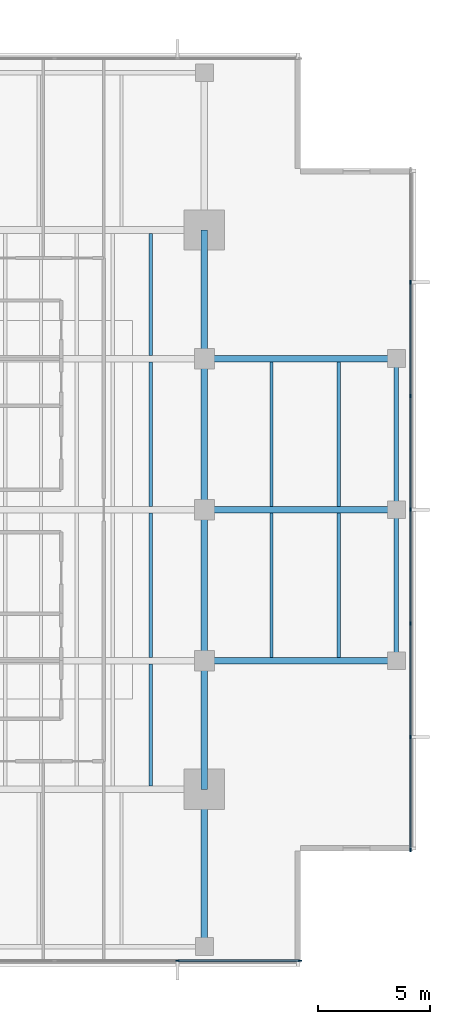
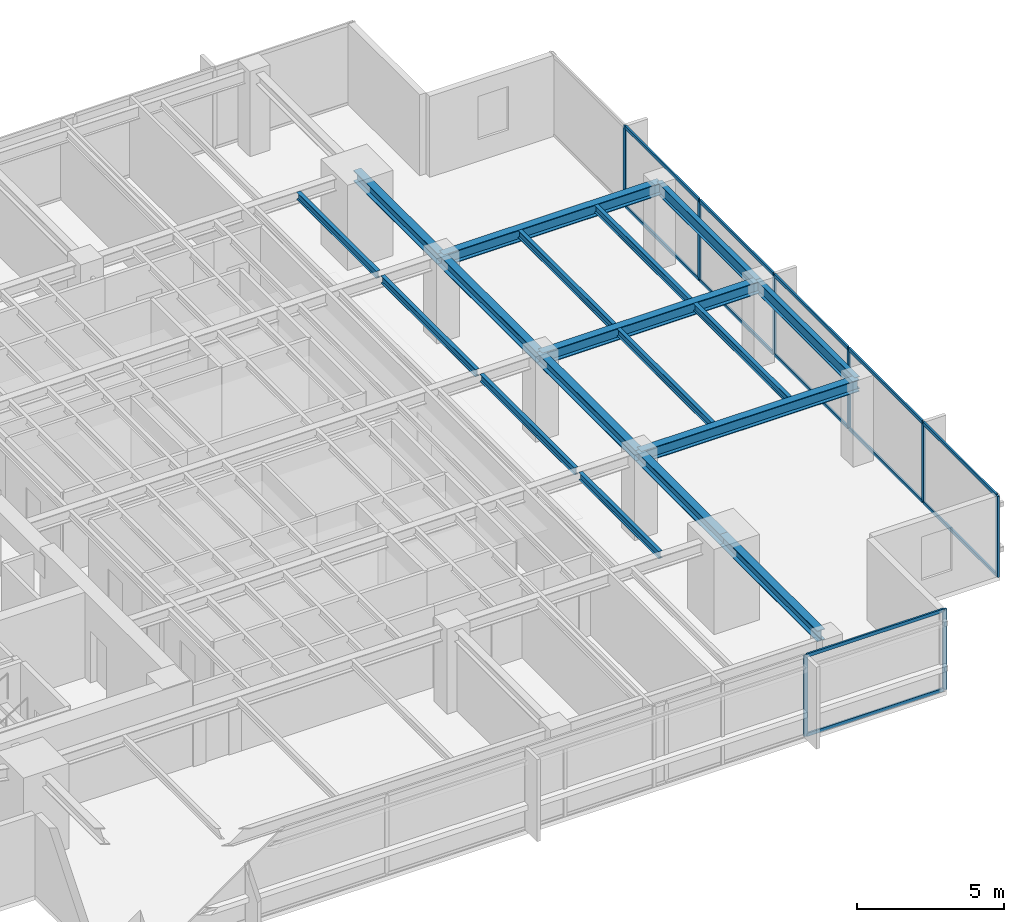
# One storey, part 4 of 14: 20 members, 18 beams, 2 elements without a shape of their own.
"""IFC4 building model written with IfcOpenShell, lengths in metres."""

from ifc_helpers import new_model, si_unit, direction, frame, origin, origin_2d, place, context, subcontext, project, spatial, rectangle, i_section, extrude, material, layer, layer_set, material_profile, profile_set, type_object, element, aggregate, save


model = new_model("IFC4")

# Units and contexts
model_context = context("Model", 3, precision=1e-05, world=origin(), true_north=direction((0.0, 1.0)))
body_context = subcontext(model_context, "Body", "Model", "MODEL_VIEW")
ifc_project = project(units=[si_unit("LENGTHUNIT", "METRE"), si_unit("AREAUNIT", "SQUARE_METRE"), si_unit("VOLUMEUNIT", "CUBIC_METRE"), si_unit("PLANEANGLEUNIT", "RADIAN"), si_unit("MASSUNIT", "GRAM", prefix="KILO")], contexts=[model_context])

# Site, building, storey
site_placement = place(None, origin())
site = spatial("IfcSite", under=ifc_project, at=site_placement, CompositionType="ELEMENT")
building_placement = place(site_placement, origin())
building = spatial("IfcBuilding", under=site, at=building_placement, Name="Kinhvarn Gate Tower", CompositionType="ELEMENT")
storey_placement = place(building_placement, frame((0.0, 0.0, 212.89990234375)))
storey = spatial("IfcBuildingStorey", under=building, at=storey_placement, Name="L56", CompositionType="ELEMENT", Elevation=212.89990234375)

# Curtain wall, members
ifc_material_1 = material(Name="Anodised aluminium AW-6063", Category="aluminium")
ifc_layer = layer(ifc_material_1, 0.179931640625)
ifc_layer_set = layer_set([ifc_layer], Name="Anodised aluminium AW-6063")
curtain_wall_type = type_object("IfcCurtainWallType", Name="CW-SYS-3", PredefinedType="NOTDEFINED", material=ifc_layer_set)
curtain_wall_1_placement = place(storey_placement, origin())
curtain_wall_1 = element("IfcCurtainWall", 1, at=curtain_wall_1_placement, inside=storey, type_object=curtain_wall_type, Name="Curtain Wall CW3 (L56)", PredefinedType="NOTDEFINED")
ifc_material_profile_1 = material_profile(ifc_material_1, rectangle(XDim=0.06494140625, YDim=0.159912109375, at=origin_2d()), Name="ALU 65x160")
ifc_profile_set_1 = profile_set([ifc_material_profile_1], Name="Anodised aluminium AW-6063")
member_type_1 = type_object("IfcMemberType", Name="CW-MUL-160", PredefinedType="MULLION", material=ifc_profile_set_1)
member_1_placement = place(storey_placement, frame((37.0, 5.090087890625, 0.0), z_axis=(0.0, 0.0, 1.0), x_axis=(0.0, 1.0, 0.0)))
member_1 = element("IfcMember", 2, at=member_1_placement, type_object=member_type_1, Name="CW3 mullion 6", PredefinedType="MULLION", context=body_context, shape_type="SweptSolid", body=[
    extrude(rectangle(XDim=0.06494140625, YDim=0.159912109375, at=origin_2d()), origin(), (0.0, 0.0, 1.0), 3.3701171875),
])
member_2_placement = place(storey_placement, frame((42.467529296875, 5.090087890625, 0.0), z_axis=(0.0, 0.0, 1.0), x_axis=(0.0, 1.0, 0.0)))
member_2 = element("IfcMember", 3, at=member_2_placement, type_object=member_type_1, Name="CW3 mullion 7", PredefinedType="MULLION", context=body_context, shape_type="SweptSolid", body=[
    extrude(rectangle(XDim=0.06494140625, YDim=0.159912109375, at=origin_2d()), origin(), (0.0, 0.0, 1.0), 3.3701171875),
])

curtain_wall_2_placement = place(storey_placement, origin())
curtain_wall_2 = element("IfcCurtainWall", 4, at=curtain_wall_2_placement, inside=storey, type_object=curtain_wall_type, Name="Curtain Wall CW3 (L56)", PredefinedType="NOTDEFINED")
member_3_placement = place(storey_placement, frame((47.409912109375, 10.032470703125, 0.0), z_axis=(0.0, 0.0, 1.0), x_axis=(-1.0, 0.0, 0.0)))
member_3 = element("IfcMember", 5, at=member_3_placement, type_object=member_type_1, Name="CW3 mullion 1", PredefinedType="MULLION", context=body_context, shape_type="SweptSolid", body=[
    extrude(rectangle(XDim=0.06494140625, YDim=0.159912109375, at=origin_2d()), origin(), (0.0, 0.0, 1.0), 3.3701171875),
])
member_4_placement = place(storey_placement, frame((47.409912109375, 15.083251953125, 0.0), z_axis=(0.0, 0.0, 1.0), x_axis=(-1.0, 0.0, 0.0)))
member_4 = element("IfcMember", 6, at=member_4_placement, type_object=member_type_1, Name="CW3 mullion 2", PredefinedType="MULLION", context=body_context, shape_type="SweptSolid", body=[
    extrude(rectangle(XDim=0.06494140625, YDim=0.159912109375, at=origin_2d()), origin(), (0.0, 0.0, 1.0), 3.3701171875),
])
member_5_placement = place(storey_placement, frame((47.409912109375, 20.166748046875, 0.0), z_axis=(0.0, 0.0, 1.0), x_axis=(-1.0, 0.0, 0.0)))
member_5 = element("IfcMember", 7, at=member_5_placement, type_object=member_type_1, Name="CW3 mullion 3", PredefinedType="MULLION", context=body_context, shape_type="SweptSolid", body=[
    extrude(rectangle(XDim=0.06494140625, YDim=0.159912109375, at=origin_2d()), origin(), (0.0, 0.0, 1.0), 3.3701171875),
])
member_6_placement = place(storey_placement, frame((47.409912109375, 25.25, 0.0), z_axis=(0.0, 0.0, 1.0), x_axis=(-1.0, 0.0, 0.0)))
member_6 = element("IfcMember", 8, at=member_6_placement, type_object=member_type_1, Name="CW3 mullion 4", PredefinedType="MULLION", context=body_context, shape_type="SweptSolid", body=[
    extrude(rectangle(XDim=0.06494140625, YDim=0.159912109375, at=origin_2d()), origin(), (0.0, 0.0, 1.0), 3.3701171875),
])
member_7_placement = place(storey_placement, frame((47.409912109375, 30.333251953125, 0.0), z_axis=(0.0, 0.0, 1.0), x_axis=(-1.0, 0.0, 0.0)))
member_7 = element("IfcMember", 9, at=member_7_placement, type_object=member_type_1, Name="CW3 mullion 5", PredefinedType="MULLION", context=body_context, shape_type="SweptSolid", body=[
    extrude(rectangle(XDim=0.06494140625, YDim=0.159912109375, at=origin_2d()), origin(), (0.0, 0.0, 1.0), 3.3701171875),
])
member_8_placement = place(storey_placement, frame((47.409912109375, 35.416748046875, 0.0), z_axis=(0.0, 0.0, 1.0), x_axis=(-1.0, 0.0, 0.0)))
member_8 = element("IfcMember", 10, at=member_8_placement, type_object=member_type_1, Name="CW3 mullion 6", PredefinedType="MULLION", context=body_context, shape_type="SweptSolid", body=[
    extrude(rectangle(XDim=0.06494140625, YDim=0.159912109375, at=origin_2d()), origin(), (0.0, 0.0, 1.0), 3.3701171875),
])

# Member
ifc_material_profile_2 = material_profile(ifc_material_1, rectangle(XDim=0.070068359375, YDim=0.139892578125, at=origin_2d()), Name="ALU 70x140")
ifc_profile_set_2 = profile_set([ifc_material_profile_2], Name="Anodised aluminium AW-6063")
member_type_2 = type_object("IfcMemberType", Name="CW-TRN-140", PredefinedType="USERDEFINED", material=ifc_profile_set_2)
member_9_placement = place(storey_placement, frame((37.032470703125, 5.090087890625, 0.03515625), z_axis=(1.0, 0.0, 0.0), x_axis=(0.0, 1.0, 0.0)))
member_9 = element("IfcMember", 11, at=member_9_placement, type_object=member_type_2, Name="CW3 transom 6.1", ObjectType="TRANSOM", PredefinedType="USERDEFINED", context=body_context, shape_type="SweptSolid", body=[
    extrude(rectangle(XDim=0.070068359375, YDim=0.139892578125, at=origin_2d()), origin(), (0.0, 0.0, 1.0), 5.402587890625),
])

member_10_placement = place(storey_placement, frame((37.032470703125, 5.090087890625, 3.335205078125), z_axis=(1.0, 0.0, 0.0), x_axis=(0.0, 1.0, 0.0)))
member_10 = element("IfcMember", 12, at=member_10_placement, type_object=member_type_2, Name="CW3 transom 6.2", ObjectType="TRANSOM", PredefinedType="USERDEFINED", context=body_context, shape_type="SweptSolid", body=[
    extrude(rectangle(XDim=0.070068359375, YDim=0.139892578125, at=origin_2d()), origin(), (0.0, 0.0, 1.0), 5.402587890625),
])

aggregate(curtain_wall_1, [member_1, member_2, member_9, member_10])

member_11_placement = place(storey_placement, frame((47.409912109375, 10.06494140625, 0.03515625), z_axis=(0.0, 1.0, 0.0), x_axis=(-1.0, 0.0, 0.0)))
member_11 = element("IfcMember", 13, at=member_11_placement, type_object=member_type_2, Name="CW3 transom 1.1", ObjectType="TRANSOM", PredefinedType="USERDEFINED", context=body_context, shape_type="SweptSolid", body=[
    extrude(rectangle(XDim=0.070068359375, YDim=0.139892578125, at=origin_2d()), origin(), (0.0, 0.0, 1.0), 4.98583984375),
])

member_12_placement = place(storey_placement, frame((47.409912109375, 10.06494140625, 3.335205078125), z_axis=(0.0, 1.0, 0.0), x_axis=(-1.0, 0.0, 0.0)))
member_12 = element("IfcMember", 14, at=member_12_placement, type_object=member_type_2, Name="CW3 transom 1.2", ObjectType="TRANSOM", PredefinedType="USERDEFINED", context=body_context, shape_type="SweptSolid", body=[
    extrude(rectangle(XDim=0.070068359375, YDim=0.139892578125, at=origin_2d()), origin(), (0.0, 0.0, 1.0), 4.98583984375),
])

member_13_placement = place(storey_placement, frame((47.409912109375, 15.11572265625, 0.03515625), z_axis=(0.0, 1.0, 0.0), x_axis=(-1.0, 0.0, 0.0)))
member_13 = element("IfcMember", 15, at=member_13_placement, type_object=member_type_2, Name="CW3 transom 2.1", ObjectType="TRANSOM", PredefinedType="USERDEFINED", context=body_context, shape_type="SweptSolid", body=[
    extrude(rectangle(XDim=0.070068359375, YDim=0.139892578125, at=origin_2d()), origin(), (0.0, 0.0, 1.0), 5.0185546875),
])

member_14_placement = place(storey_placement, frame((47.409912109375, 15.11572265625, 3.335205078125), z_axis=(0.0, 1.0, 0.0), x_axis=(-1.0, 0.0, 0.0)))
member_14 = element("IfcMember", 16, at=member_14_placement, type_object=member_type_2, Name="CW3 transom 2.2", ObjectType="TRANSOM", PredefinedType="USERDEFINED", context=body_context, shape_type="SweptSolid", body=[
    extrude(rectangle(XDim=0.070068359375, YDim=0.139892578125, at=origin_2d()), origin(), (0.0, 0.0, 1.0), 5.0185546875),
])

member_15_placement = place(storey_placement, frame((47.409912109375, 20.19921875, 0.03515625), z_axis=(0.0, 1.0, 0.0), x_axis=(-1.0, 0.0, 0.0)))
member_15 = element("IfcMember", 17, at=member_15_placement, type_object=member_type_2, Name="CW3 transom 3.1", ObjectType="TRANSOM", PredefinedType="USERDEFINED", context=body_context, shape_type="SweptSolid", body=[
    extrude(rectangle(XDim=0.070068359375, YDim=0.139892578125, at=origin_2d()), origin(), (0.0, 0.0, 1.0), 5.018310546875),
])

member_16_placement = place(storey_placement, frame((47.409912109375, 20.19921875, 3.335205078125), z_axis=(0.0, 1.0, 0.0), x_axis=(-1.0, 0.0, 0.0)))
member_16 = element("IfcMember", 18, at=member_16_placement, type_object=member_type_2, Name="CW3 transom 3.2", ObjectType="TRANSOM", PredefinedType="USERDEFINED", context=body_context, shape_type="SweptSolid", body=[
    extrude(rectangle(XDim=0.070068359375, YDim=0.139892578125, at=origin_2d()), origin(), (0.0, 0.0, 1.0), 5.018310546875),
])

member_17_placement = place(storey_placement, frame((47.409912109375, 25.282470703125, 0.03515625), z_axis=(0.0, 1.0, 0.0), x_axis=(-1.0, 0.0, 0.0)))
member_17 = element("IfcMember", 19, at=member_17_placement, type_object=member_type_2, Name="CW3 transom 4.1", ObjectType="TRANSOM", PredefinedType="USERDEFINED", context=body_context, shape_type="SweptSolid", body=[
    extrude(rectangle(XDim=0.070068359375, YDim=0.139892578125, at=origin_2d()), origin(), (0.0, 0.0, 1.0), 5.018310546875),
])

member_18_placement = place(storey_placement, frame((47.409912109375, 25.282470703125, 3.335205078125), z_axis=(0.0, 1.0, 0.0), x_axis=(-1.0, 0.0, 0.0)))
member_18 = element("IfcMember", 20, at=member_18_placement, type_object=member_type_2, Name="CW3 transom 4.2", ObjectType="TRANSOM", PredefinedType="USERDEFINED", context=body_context, shape_type="SweptSolid", body=[
    extrude(rectangle(XDim=0.070068359375, YDim=0.139892578125, at=origin_2d()), origin(), (0.0, 0.0, 1.0), 5.018310546875),
])

member_19_placement = place(storey_placement, frame((47.409912109375, 30.36572265625, 0.03515625), z_axis=(0.0, 1.0, 0.0), x_axis=(-1.0, 0.0, 0.0)))
member_19 = element("IfcMember", 21, at=member_19_placement, type_object=member_type_2, Name="CW3 transom 5.1", ObjectType="TRANSOM", PredefinedType="USERDEFINED", context=body_context, shape_type="SweptSolid", body=[
    extrude(rectangle(XDim=0.070068359375, YDim=0.139892578125, at=origin_2d()), origin(), (0.0, 0.0, 1.0), 5.0185546875),
])

member_20_placement = place(storey_placement, frame((47.409912109375, 30.36572265625, 3.335205078125), z_axis=(0.0, 1.0, 0.0), x_axis=(-1.0, 0.0, 0.0)))
member_20 = element("IfcMember", 22, at=member_20_placement, type_object=member_type_2, Name="CW3 transom 5.2", ObjectType="TRANSOM", PredefinedType="USERDEFINED", context=body_context, shape_type="SweptSolid", body=[
    extrude(rectangle(XDim=0.070068359375, YDim=0.139892578125, at=origin_2d()), origin(), (0.0, 0.0, 1.0), 5.0185546875),
])

aggregate(curtain_wall_2, [member_3, member_4, member_5, member_6, member_7, member_8, member_11, member_12, member_13, member_14, member_15, member_16, member_17, member_18, member_19, member_20])

# Beams
ifc_material_2 = material(Name="Steel S355", Category="steel")
ifc_material_profile_3 = material_profile(ifc_material_2, i_section(OverallWidth=0.300048828125, OverallDepth=0.449951171875, WebThickness=0.013916015625, FlangeThickness=0.02587890625, at=origin_2d()), Name="HEB 450")
ifc_profile_set_3 = profile_set([ifc_material_profile_3], Name="Steel S355")
beam_type_1 = type_object("IfcBeamType", Name="STL-HEB450", PredefinedType="BEAM", material=ifc_profile_set_3)
beam_1_placement = place(storey_placement, frame((38.199951171875, 6.10498046875, 3.14501953125), z_axis=(0.0, 1.0, 0.0), x_axis=(-1.0, 0.0, 0.0)))
element("IfcBeam", 23, at=beam_1_placement, inside=storey, type_object=beam_type_1, Name="Floor Beam PG-13 (L56 MCE-S)", PredefinedType="BEAM", context=body_context, shape_type="SweptSolid", body=[
    extrude(i_section(OverallWidth=0.300048828125, OverallDepth=0.449951171875, WebThickness=0.013916015625, FlangeThickness=0.02587890625, at=origin_2d()), origin(), (0.0, 0.0, 1.0), 6.64501953125),
])
beam_2_placement = place(storey_placement, frame((38.199951171875, 12.75, 3.14501953125), z_axis=(0.0, 1.0, 0.0), x_axis=(-1.0, 0.0, 0.0)))
element("IfcBeam", 24, at=beam_2_placement, inside=storey, type_object=beam_type_1, Name="Floor Beam PG-13 (L56 MG-E-12)", PredefinedType="BEAM", context=body_context, shape_type="SweptSolid", body=[
    extrude(i_section(OverallWidth=0.300048828125, OverallDepth=0.449951171875, WebThickness=0.013916015625, FlangeThickness=0.02587890625, at=origin_2d()), origin(), (0.0, 0.0, 1.0), 5.75),
])
for number, where, z_axis, x_axis, name in (
    (25, (38.199951171875, 18.5, 3.14501953125), (0.0, 1.0, 0.0), (-1.0, 0.0, 0.0), "Floor Beam PG-13 (L56 MG-E-18)"),
    (26, (38.199951171875, 25.25, 3.14501953125), (0.0, 1.0, 0.0), (-1.0, 0.0, 0.0), "Floor Beam PG-13 (L56 MG-E-25)"),
):
    element("IfcBeam", number, at=place(storey_placement, frame(where, z_axis=z_axis, x_axis=x_axis)), inside=storey, type_object=beam_type_1, Name=name, PredefinedType="BEAM", context=body_context, shape_type="SweptSolid", body=[
        extrude(i_section(OverallWidth=0.300048828125, OverallDepth=0.449951171875, WebThickness=0.013916015625, FlangeThickness=0.02587890625, at=origin_2d()), origin(), (0.0, 0.0, 1.0), 6.75),
    ])
beam_3_placement = place(storey_placement, frame((38.199951171875, 32.0, 3.14501953125), z_axis=(0.0, 1.0, 0.0), x_axis=(-1.0, 0.0, 0.0)))
element("IfcBeam", 27, at=beam_3_placement, inside=storey, type_object=beam_type_1, Name="Floor Beam PG-13 (L56 MG-E-32)", PredefinedType="BEAM", context=body_context, shape_type="SweptSolid", body=[
    extrude(i_section(OverallWidth=0.300048828125, OverallDepth=0.449951171875, WebThickness=0.013916015625, FlangeThickness=0.02587890625, at=origin_2d()), origin(), (0.0, 0.0, 1.0), 5.75),
])
ifc_material_profile_4 = material_profile(ifc_material_2, i_section(OverallWidth=0.300048828125, OverallDepth=0.5, WebThickness=0.014404296875, FlangeThickness=0.028076171875, at=origin_2d()), Name="HEB 500")
ifc_profile_set_4 = profile_set([ifc_material_profile_4], Name="Steel S355")
beam_type_2 = type_object("IfcBeamType", Name="STL-HEB500", PredefinedType="BEAM", material=ifc_profile_set_4)
for number, where, z_axis, x_axis, name in (
    (28, (38.199951171875, 18.5, 3.1201171875), (1.0, 0.0, 0.0), (0.0, 1.0, 0.0), "Floor Beam PG-14 (L56 EW2-Y18)"),
    (29, (38.199951171875, 25.25, 3.1201171875), (1.0, 0.0, 0.0), (0.0, 1.0, 0.0), "Floor Beam PG-14 (L56 EW2-Y25)"),
    (30, (38.199951171875, 32.0, 3.1201171875), (1.0, 0.0, 0.0), (0.0, 1.0, 0.0), "Floor Beam PG-14 (L56 EW2-Y32)"),
):
    element("IfcBeam", number, at=place(storey_placement, frame(where, z_axis=z_axis, x_axis=x_axis)), inside=storey, type_object=beam_type_2, Name=name, PredefinedType="BEAM", context=body_context, shape_type="SweptSolid", body=[
        extrude(i_section(OverallWidth=0.300048828125, OverallDepth=0.5, WebThickness=0.014404296875, FlangeThickness=0.028076171875, at=origin_2d()), origin(), (0.0, 0.0, 1.0), 8.580078125),
    ])
ifc_material_profile_5 = material_profile(ifc_material_2, i_section(OverallWidth=0.14990234375, OverallDepth=0.300048828125, WebThickness=0.007080078125, FlangeThickness=0.0107421875, at=origin_2d()), Name="IPE 300")
ifc_profile_set_5 = profile_set([ifc_material_profile_5], Name="Steel S355")
beam_type_3 = type_object("IfcBeamType", Name="STL-IPE300", PredefinedType="JOIST", material=ifc_profile_set_5)
beam_4_placement = place(storey_placement, frame((35.800048828125, 12.89990234375, 3.22021484375), z_axis=(0.0, 1.0, 0.0), x_axis=(-1.0, 0.0, 0.0)))
element("IfcBeam", 31, at=beam_4_placement, inside=storey, type_object=beam_type_3, Name="Floor Joist SB-02 (L56 JC-X358-0)", PredefinedType="JOIST", context=body_context, shape_type="SweptSolid", body=[
    extrude(i_section(OverallWidth=0.14990234375, OverallDepth=0.300048828125, WebThickness=0.007080078125, FlangeThickness=0.0107421875, at=origin_2d()), origin(), (0.0, 0.0, 1.0), 5.4501953125),
])
for number, where, z_axis, x_axis, name in (
    (32, (35.800048828125, 18.64990234375, 3.22021484375), (0.0, 1.0, 0.0), (-1.0, 0.0, 0.0), "Floor Joist SB-02 (L56 JC-X358-1)"),
    (33, (35.800048828125, 25.39990234375, 3.22021484375), (0.0, 1.0, 0.0), (-1.0, 0.0, 0.0), "Floor Joist SB-02 (L56 JC-X358-2)"),
):
    element("IfcBeam", number, at=place(storey_placement, frame(where, z_axis=z_axis, x_axis=x_axis)), inside=storey, type_object=beam_type_3, Name=name, PredefinedType="JOIST", context=body_context, shape_type="SweptSolid", body=[
        extrude(i_section(OverallWidth=0.14990234375, OverallDepth=0.300048828125, WebThickness=0.007080078125, FlangeThickness=0.0107421875, at=origin_2d()), origin(), (0.0, 0.0, 1.0), 6.4501953125),
    ])
beam_5_placement = place(storey_placement, frame((35.800048828125, 32.14990234375, 3.22021484375), z_axis=(0.0, 1.0, 0.0), x_axis=(-1.0, 0.0, 0.0)))
element("IfcBeam", 34, at=beam_5_placement, inside=storey, type_object=beam_type_3, Name="Floor Joist SB-02 (L56 JC-X358-3)", PredefinedType="JOIST", context=body_context, shape_type="SweptSolid", body=[
    extrude(i_section(OverallWidth=0.14990234375, OverallDepth=0.300048828125, WebThickness=0.007080078125, FlangeThickness=0.0107421875, at=origin_2d()), origin(), (0.0, 0.0, 1.0), 5.4501953125),
])
for number, where, z_axis, x_axis, name in (
    (35, (41.199951171875, 18.64990234375, 3.22021484375), (0.0, 1.0, 0.0), (-1.0, 0.0, 0.0), "Floor Joist SB-02 (L56 JC-X412-1)"),
    (36, (41.199951171875, 25.39990234375, 3.22021484375), (0.0, 1.0, 0.0), (-1.0, 0.0, 0.0), "Floor Joist SB-02 (L56 JC-X412-2)"),
    (37, (44.2099609375, 18.64990234375, 3.22021484375), (0.0, 1.0, 0.0), (-1.0, 0.0, 0.0), "Floor Joist SB-02 (L56 JC-X442-1)"),
    (38, (44.2099609375, 25.39990234375, 3.22021484375), (0.0, 1.0, 0.0), (-1.0, 0.0, 0.0), "Floor Joist SB-02 (L56 JC-X442-2)"),
):
    element("IfcBeam", number, at=place(storey_placement, frame(where, z_axis=z_axis, x_axis=x_axis)), inside=storey, type_object=beam_type_3, Name=name, PredefinedType="JOIST", context=body_context, shape_type="SweptSolid", body=[
        extrude(i_section(OverallWidth=0.14990234375, OverallDepth=0.300048828125, WebThickness=0.007080078125, FlangeThickness=0.0107421875, at=origin_2d()), origin(), (0.0, 0.0, 1.0), 6.4501953125),
    ])
ifc_material_profile_6 = material_profile(ifc_material_2, i_section(OverallWidth=0.199951171875, OverallDepth=0.5, WebThickness=0.01025390625, FlangeThickness=0.01611328125, at=origin_2d()), Name="IPE 500")
ifc_profile_set_6 = profile_set([ifc_material_profile_6], Name="Steel S355")
beam_type_4 = type_object("IfcBeamType", Name="STL-IPE500", PredefinedType="SPANDREL", material=ifc_profile_set_6)
for number, where, z_axis, x_axis, name in (
    (39, (46.780029296875, 18.5, 3.1201171875), (0.0, 1.0, 0.0), (-1.0, 0.0, 0.0), "Floor Spandrel SB-07 (L56 SP-E2)"),
    (40, (46.780029296875, 25.25, 3.1201171875), (0.0, 1.0, 0.0), (-1.0, 0.0, 0.0), "Floor Spandrel SB-07 (L56 SP-E3)"),
):
    element("IfcBeam", number, at=place(storey_placement, frame(where, z_axis=z_axis, x_axis=x_axis)), inside=storey, type_object=beam_type_4, Name=name, PredefinedType="SPANDREL", context=body_context, shape_type="SweptSolid", body=[
        extrude(i_section(OverallWidth=0.199951171875, OverallDepth=0.5, WebThickness=0.01025390625, FlangeThickness=0.01611328125, at=origin_2d()), origin(), (0.0, 0.0, 1.0), 6.75),
    ])

save(model, "model.ifc")
